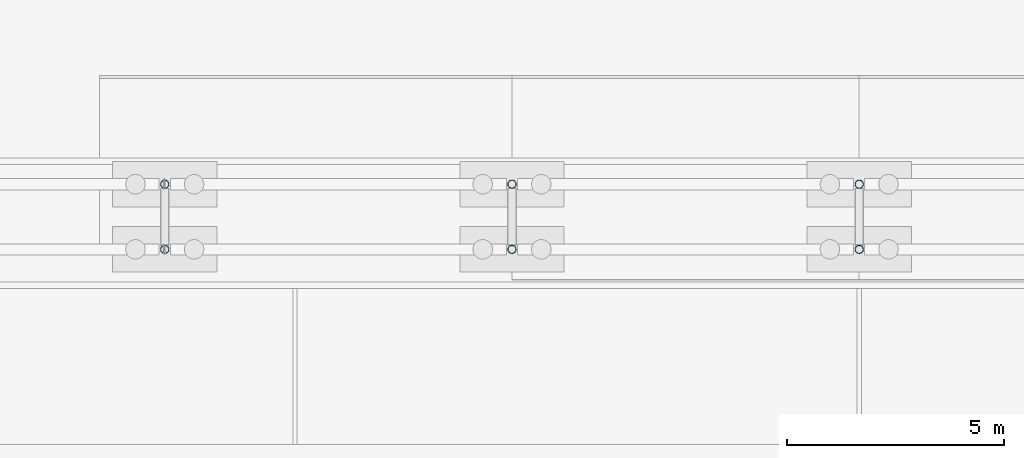
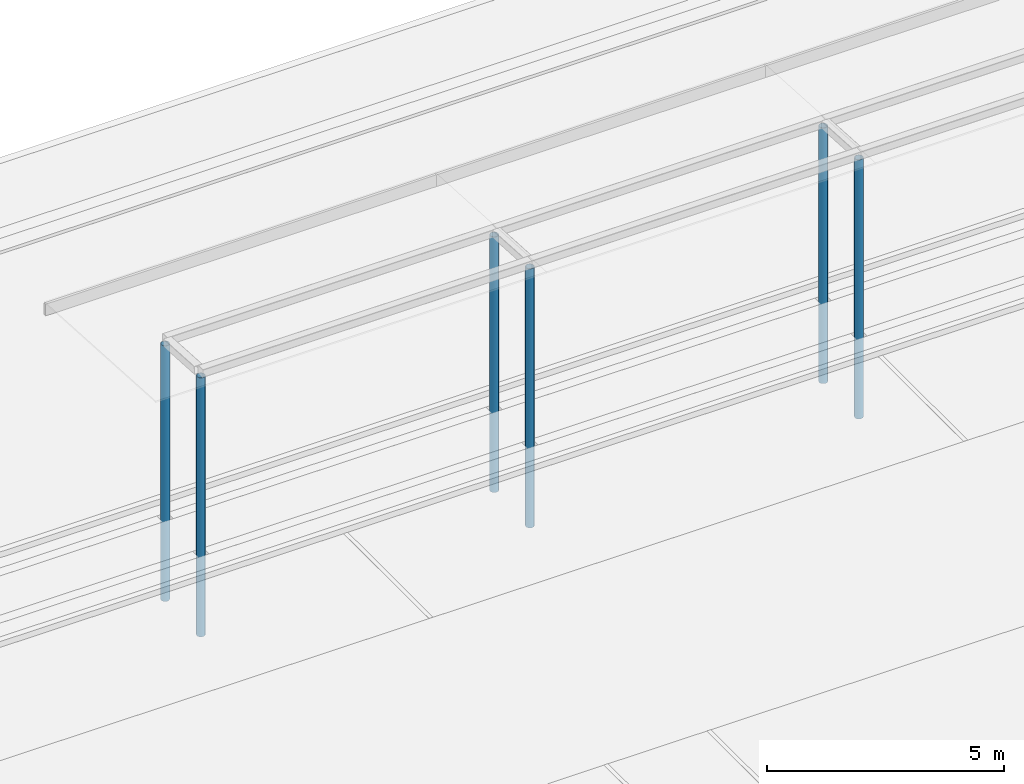
# One storey, part 35 of 250: 6 columns.
"""IFC4 building model written with IfcOpenShell, lengths in metres."""

from ifc_helpers import new_model, si_unit, direction, frame, origin, origin_2d, place, context, subcontext, project, spatial, hollow_circle, extrude, material, material_profile, profile_set, type_object, element, save


model = new_model("IFC4")

# Units and contexts
model_context = context("Model", 3, precision=1e-05, world=origin(), true_north=direction((0.0, 1.0)))
body_context = subcontext(model_context, "Body", "Model", "MODEL_VIEW")
ifc_project = project(units=[si_unit("LENGTHUNIT", "METRE"), si_unit("AREAUNIT", "SQUARE_METRE"), si_unit("VOLUMEUNIT", "CUBIC_METRE"), si_unit("PLANEANGLEUNIT", "RADIAN"), si_unit("MASSUNIT", "GRAM", prefix="KILO")], contexts=[model_context])

# Site, building, storey
site_placement = place(None, origin())
site = spatial("IfcSite", under=ifc_project, at=site_placement, CompositionType="ELEMENT")
building_placement = place(site_placement, origin())
building = spatial("IfcBuilding", under=site, at=building_placement, Name="Baradari Gate Terminus", CompositionType="ELEMENT")
storey_placement = place(building_placement, origin())
storey = spatial("IfcBuildingStorey", under=building, at=storey_placement, Name="L00", CompositionType="ELEMENT", Elevation=0.0)

# Columns
ifc_material = material(Name="Steel S355", Category="steel")
ifc_material_profile = material_profile(ifc_material, hollow_circle(Radius=0.096923828125, WallThickness=0.008056640625, at=origin_2d()), Name="CHS 193.7x8")
ifc_profile_set = profile_set([ifc_material_profile], Name="Steel S355")
column_type = type_object("IfcColumnType", Name="Shelter column CHS 193.7x8", PredefinedType="COLUMN", material=ifc_profile_set)
for number, where, z_axis, x_axis, name in (
    (1, (194.0, 138.0, -2.10009765625), (0.0, 0.0, 1.0), (1.0, 0.0, 0.0), "Bus shelter column 1"),
    (2, (202.0, 138.0, -2.10009765625), (0.0, 0.0, 1.0), (1.0, 0.0, 0.0), "Bus shelter column 2"),
    (3, (210.0, 138.0, -2.10009765625), (0.0, 0.0, 1.0), (1.0, 0.0, 0.0), "Bus shelter column 3"),
):
    element("IfcColumn", number, at=place(storey_placement, frame(where, z_axis=z_axis, x_axis=x_axis)), inside=storey, type_object=column_type, Name=name, PredefinedType="COLUMN", context=body_context, shape_type="SweptSolid", body=[
        extrude(hollow_circle(Radius=0.096923828125, WallThickness=0.008056640625, at=origin_2d()), origin(), (0.0, 0.0, 1.0), 6.66015625),
    ])
for number, where, z_axis, x_axis, name in (
    (4, (194.0, 139.5, -2.10009765625), (0.0, 0.0, 1.0), (1.0, 0.0, 0.0), "Bus shelter column 6"),
    (5, (202.0, 139.5, -2.10009765625), (0.0, 0.0, 1.0), (1.0, 0.0, 0.0), "Bus shelter column 7"),
    (6, (210.0, 139.5, -2.10009765625), (0.0, 0.0, 1.0), (1.0, 0.0, 0.0), "Bus shelter column 8"),
):
    element("IfcColumn", number, at=place(storey_placement, frame(where, z_axis=z_axis, x_axis=x_axis)), inside=storey, type_object=column_type, Name=name, PredefinedType="COLUMN", context=body_context, shape_type="SweptSolid", body=[
        extrude(hollow_circle(Radius=0.096923828125, WallThickness=0.008056640625, at=origin_2d()), origin(), (0.0, 0.0, 1.0), 6.570068359375),
    ])

save(model, "model.ifc")
